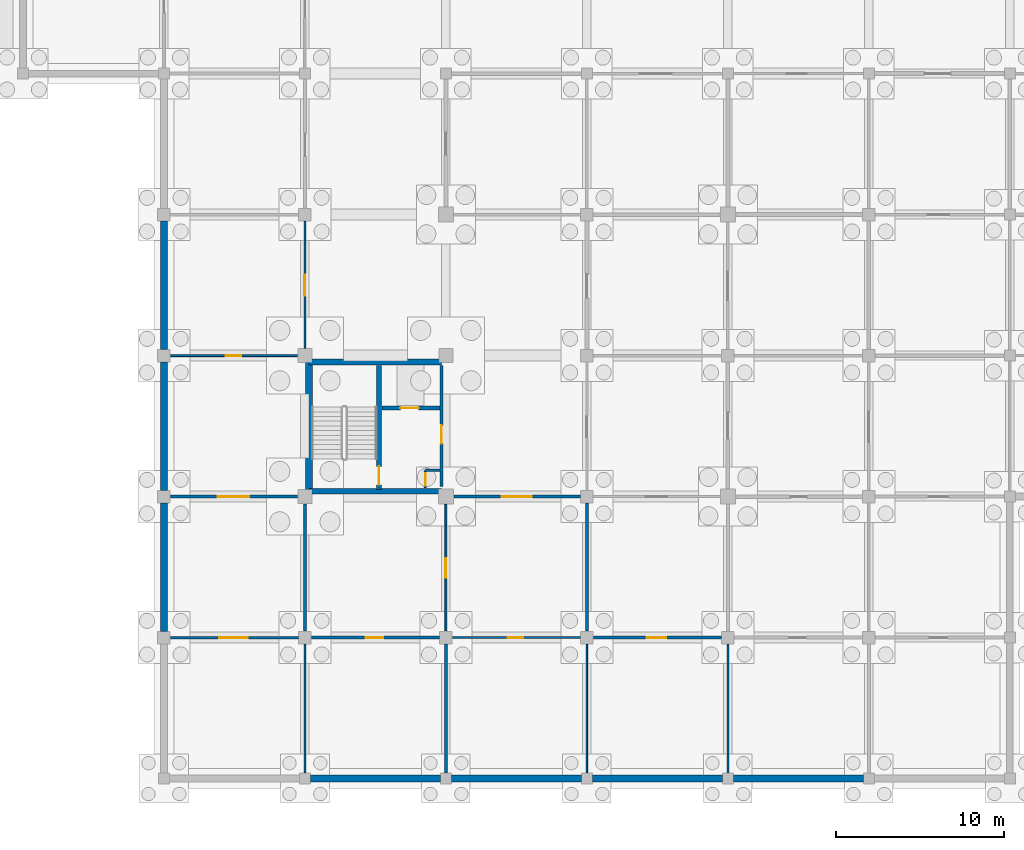
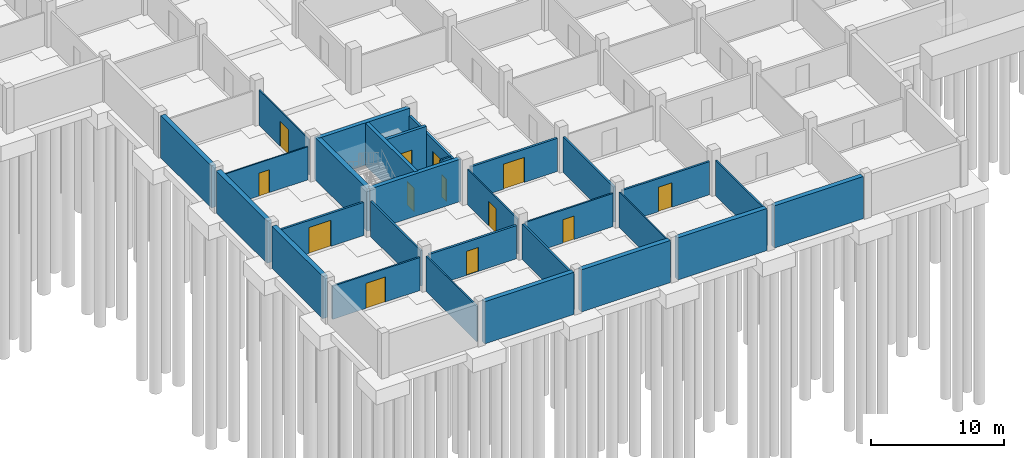
# One storey, part 19 of 43: 30 walls, 13 doors, 13 openings.
"""IFC4 building model written with IfcOpenShell, lengths in metres."""

from ifc_helpers import new_model, si_unit, direction, frame, frame_2d, origin, place, context, subcontext, project, spatial, rectangle, extrude, material, layer, layer_set, type_object, element, fill, save


model = new_model("IFC4")

# Units and contexts
model_context = context("Model", 3, precision=1e-05, world=origin(), true_north=direction((0.0, 1.0)))
body_context = subcontext(model_context, "Body", "Model", "MODEL_VIEW")
ifc_project = project(units=[si_unit("LENGTHUNIT", "METRE"), si_unit("AREAUNIT", "SQUARE_METRE"), si_unit("VOLUMEUNIT", "CUBIC_METRE"), si_unit("PLANEANGLEUNIT", "RADIAN"), si_unit("MASSUNIT", "GRAM", prefix="KILO")], contexts=[model_context])

# Site, building, storey
site_placement = place(None, origin())
site = spatial("IfcSite", under=ifc_project, at=site_placement, CompositionType="ELEMENT")
building_placement = place(site_placement, origin())
building = spatial("IfcBuilding", under=site, at=building_placement, Name="Varnapada Polytechnic", CompositionType="ELEMENT")
storey_placement = place(building_placement, frame((0.0, 0.0, -4.199951171875)))
storey = spatial("IfcBuildingStorey", under=building, at=storey_placement, Name="B1", CompositionType="ELEMENT", Elevation=-4.199951171875)

# Wall, opening, door
ifc_material_1 = material(Name="Autoclaved Aerated Concrete Block AAC-600", Category="concrete")
ifc_layer_1 = layer(ifc_material_1, 0.199951171875)
ifc_layer_set_1 = layer_set([ifc_layer_1], Name="Autoclaved Aerated Concrete Block AAC-600")
wall_type_1 = type_object("IfcWallType", Name="Interior Wall IW-01", PredefinedType="PARTITIONING", material=ifc_layer_set_1)
wall_1_placement = place(storey_placement, frame((24.93994140625, 24.60009765625, 0.0), z_axis=(0.0, 0.0, 1.0), x_axis=(0.0, -1.0, 0.0)))
wall_1 = element("IfcWall", 1, at=wall_1_placement, inside=storey, type_object=wall_type_1, Name="B1 C3 firefighting lobby east wall", PredefinedType="PARTITIONING", context=body_context, shape_type="SweptSolid", body=[
    extrude(rectangle(XDim=7.2001953125, YDim=0.199951171875, at=frame_2d((3.60009765625, 0.0))), origin(), (0.0, 0.0, 1.0), 3.25),
])
opening_1_placement = place(wall_1_placement, frame((3.550048828125, 0.0, 0.0)))
opening_1 = element("IfcOpeningElement", 2, at=opening_1_placement, cuts=wall_1, Name="Opening D-605", PredefinedType="OPENING", context=body_context, shape_type="SweptSolid", body=[
    extrude(rectangle(XDim=1.10009765625, YDim=2.14990234375, at=frame_2d((0.550048828125, 1.074951171875))), frame((0.0, 0.10986328125, 0.0), z_axis=(0.0, -1.0, 0.0), x_axis=(1.0, 0.0, 0.0)), (0.0, 0.0, 1.0), 0.219970703125),
])
ifc_material_2 = material(Name="Galvanized Steel Z275", Category="steel")
door_type_1 = type_object("IfcDoorType", Name="Interior Door ID-01", OperationType="NOTDEFINED", PredefinedType="DOOR", material=ifc_material_2)
door_1_placement = place(opening_1_placement, frame((1.10009765625, 0.0, 0.0), z_axis=(0.0, 0.0, 1.0), x_axis=(-1.0, 0.0, 0.0)))
door_1 = element("IfcDoor", 3, at=door_1_placement, inside=storey, type_object=door_type_1, Name="B1 C3 lobby fire door D-605", OperationType="SINGLE_SWING_LEFT", OverallHeight=2.14990234375, OverallWidth=1.10009765625, PredefinedType="DOOR", context=body_context, shape_type="SweptSolid", body=[
    extrude(rectangle(XDim=1.10009765625, YDim=2.14990234375, at=frame_2d((0.550048828125, 1.074951171875))), frame((0.0, 0.02490234375, 0.0), z_axis=(0.0, -1.0, 0.0), x_axis=(1.0, 0.0, 0.0)), (0.0, 0.0, 1.0), 0.050048828125),
])
fill(opening_1, door_1)

ifc_layer_2 = layer(ifc_material_1, 0.14990234375)
ifc_layer_set_2 = layer_set([ifc_layer_2], Name="Autoclaved Aerated Concrete Block AAC-600")
wall_type_2 = type_object("IfcWallType", Name="Interior Wall IW-02", PredefinedType="PARTITIONING", material=ifc_layer_set_2)
wall_2_placement = place(storey_placement, frame((23.97998046875, 18.360107421875, 0.0), z_axis=(0.0, 0.0, 1.0), x_axis=(0.0, -1.0, 0.0)))
wall_2 = element("IfcWall", 4, at=wall_2_placement, inside=storey, type_object=wall_type_2, Name="B1 C3 riser shaft west wall", PredefinedType="PARTITIONING", context=body_context, shape_type="SweptSolid", body=[
    extrude(rectangle(XDim=1.06005859375, YDim=0.14990234375, at=frame_2d((0.530029296875, 0.0))), origin(), (0.0, 0.0, 1.0), 3.320068359375),
])
opening_2_placement = place(wall_2_placement, frame((0.159912109375, 0.0, 0.0)))
opening_2 = element("IfcOpeningElement", 5, at=opening_2_placement, cuts=wall_2, Name="Opening TD-03", PredefinedType="OPENING", context=body_context, shape_type="SweptSolid", body=[
    extrude(rectangle(XDim=0.75, YDim=2.050048828125, at=frame_2d((0.375, 1.02490234375))), frame((0.0, 0.0849609375, 0.0), z_axis=(0.0, -1.0, 0.0), x_axis=(1.0, 0.0, 0.0)), (0.0, 0.0, 1.0), 0.169921875),
])
door_type_2 = type_object("IfcDoorType", Name="Interior Door TD-01", OperationType="NOTDEFINED", PredefinedType="TRAPDOOR", material=ifc_material_2)
door_2_placement = place(opening_2_placement, origin())
door_2 = element("IfcDoor", 6, at=door_2_placement, inside=storey, type_object=door_type_2, Name="B1 C3 riser access door TD-03", OperationType="SINGLE_SWING_LEFT", OverallHeight=2.050048828125, OverallWidth=0.75, PredefinedType="TRAPDOOR", context=body_context, shape_type="SweptSolid", body=[
    extrude(rectangle(XDim=0.75, YDim=2.050048828125, at=frame_2d((0.375, 1.02490234375))), frame((0.0, 0.02490234375, 0.0), z_axis=(0.0, -1.0, 0.0), x_axis=(1.0, 0.0, 0.0)), (0.0, 0.0, 1.0), 0.050048828125),
])
fill(opening_2, door_2)

# Walls
wall_3_placement = place(storey_placement, frame((23.97998046875, 18.360107421875, 0.0), z_axis=(0.0, 0.0, 1.0), x_axis=(1.0, 0.0, 0.0)))
element("IfcWall", 7, at=wall_3_placement, inside=storey, type_object=wall_type_2, Name="B1 C3 riser shaft north wall", PredefinedType="PARTITIONING", context=body_context, shape_type="SweptSolid", body=[
    extrude(rectangle(XDim=0.860107421875, YDim=0.14990234375, at=frame_2d((0.43017578125, 0.0))), origin(), (0.0, 0.0, 1.0), 3.320068359375),
])
ifc_material_3 = material(Name="Gypsum Plasterboard Acoustic Partition")
ifc_layer_3 = layer(ifc_material_3, 0.125)
ifc_layer_set_3 = layer_set([ifc_layer_3], Name="Gypsum Plasterboard Acoustic Partition")
wall_type_3 = type_object("IfcWallType", Name="Interior Wall IW-03", PredefinedType="PARTITIONING", material=ifc_layer_set_3)
wall_4_placement = place(storey_placement, frame((16.800048828125, 0.344970703125, 0.0), z_axis=(0.0, 0.0, 1.0), x_axis=(0.0, 1.0, 0.0)))
element("IfcWall", 8, at=wall_4_placement, inside=storey, type_object=wall_type_3, Name="B1 interior partition IW-B1-01-00-V", PredefinedType="PARTITIONING", context=body_context, shape_type="SweptSolid", body=[
    extrude(rectangle(XDim=7.659912109375, YDim=0.125, at=frame_2d((3.830078125, 0.0))), origin(), (0.0, 0.0, 1.0), 3.25),
])

# Wall, opening, door
ifc_material_4 = material(Name="Moisture-Resistant Cement Board Partition")
ifc_layer_4 = layer(ifc_material_4, 0.139892578125)
ifc_layer_set_4 = layer_set([ifc_layer_4], Name="Moisture-Resistant Cement Board Partition")
wall_type_4 = type_object("IfcWallType", Name="Interior Wall IW-04", PredefinedType="PARTITIONING", material=ifc_layer_set_4)
wall_5_placement = place(storey_placement, frame((8.794921875, 8.39990234375, 0.0), z_axis=(0.0, 0.0, 1.0), x_axis=(1.0, 0.0, 0.0)))
wall_5 = element("IfcWall", 9, at=wall_5_placement, inside=storey, type_object=wall_type_4, Name="B1 interior partition IW-B1-01-00-H", PredefinedType="PARTITIONING", context=body_context, shape_type="SweptSolid", body=[
    extrude(rectangle(XDim=7.610107421875, YDim=0.139892578125, at=frame_2d((3.80517578125, 0.0))), origin(), (0.0, 0.0, 1.0), 3.050048828125),
])
opening_3_placement = place(wall_5_placement, frame((2.89990234375, 0.0, 0.0)))
opening_3 = element("IfcOpeningElement", 10, at=opening_3_placement, cuts=wall_5, Name="Opening D-623", PredefinedType="OPENING", context=body_context, shape_type="SweptSolid", body=[
    extrude(rectangle(XDim=1.699951171875, YDim=2.300048828125, at=frame_2d((0.85009765625, 1.14990234375))), frame((0.0, 0.079833984375, 0.0), z_axis=(0.0, -1.0, 0.0), x_axis=(1.0, 0.0, 0.0)), (0.0, 0.0, 1.0), 0.159912109375),
])
ifc_material_5 = material(Name="Acoustic Double Timber Leaf", Category="wood")
door_type_3 = type_object("IfcDoorType", Name="Interior Door ID-13", OperationType="NOTDEFINED", PredefinedType="DOOR", material=ifc_material_5)
door_3_placement = place(opening_3_placement, frame((1.699951171875, 0.0, 0.0), z_axis=(0.0, 0.0, 1.0), x_axis=(-1.0, 0.0, 0.0)))
door_3 = element("IfcDoor", 11, at=door_3_placement, inside=storey, type_object=door_type_3, Name="B1 interior room door D-623", OperationType="SINGLE_SWING_RIGHT", OverallHeight=2.300048828125, OverallWidth=1.699951171875, PredefinedType="DOOR", context=body_context, shape_type="SweptSolid", body=[
    extrude(rectangle(XDim=1.699951171875, YDim=2.300048828125, at=frame_2d((0.85009765625, 1.14990234375))), frame((0.0, 0.02490234375, 0.0), z_axis=(0.0, -1.0, 0.0), x_axis=(1.0, 0.0, 0.0)), (0.0, 0.0, 1.0), 0.050048828125),
])
fill(opening_3, door_3)

# Wall
ifc_material_6 = material(Name="Cross-laminated timber CLT C24", Category="wood")
ifc_layer_5 = layer(ifc_material_6, 0.159912109375)
ifc_layer_set_5 = layer_set([ifc_layer_5], Name="Cross-laminated timber CLT C24")
wall_type_5 = type_object("IfcWallType", Name="Interior Wall IW-05", PredefinedType="PARTITIONING", material=ifc_layer_set_5)
wall_6_placement = place(storey_placement, frame((16.800048828125, 8.794921875, 0.0), z_axis=(0.0, 0.0, 1.0), x_axis=(0.0, 1.0, 0.0)))
element("IfcWall", 12, at=wall_6_placement, inside=storey, type_object=wall_type_5, Name="B1 interior partition IW-B1-01-01-V", PredefinedType="PARTITIONING", context=body_context, shape_type="SweptSolid", body=[
    extrude(rectangle(XDim=7.56005859375, YDim=0.159912109375, at=frame_2d((3.780029296875, 0.0))), origin(), (0.0, 0.0, 1.0), 3.25),
])

# Wall, opening, door
ifc_material_7 = material(Name="Acoustic Double-Stud Studio Partition")
ifc_layer_6 = layer(ifc_material_7, 0.179931640625)
ifc_layer_set_6 = layer_set([ifc_layer_6], Name="Acoustic Double-Stud Studio Partition")
wall_type_6 = type_object("IfcWallType", Name="Interior Wall IW-06", PredefinedType="PARTITIONING", material=ifc_layer_set_6)
wall_7_placement = place(storey_placement, frame((8.794921875, 16.800048828125, 0.0), z_axis=(0.0, 0.0, 1.0), x_axis=(1.0, 0.0, 0.0)))
wall_7 = element("IfcWall", 13, at=wall_7_placement, inside=storey, type_object=wall_type_6, Name="B1 interior partition IW-B1-01-01-H", PredefinedType="PARTITIONING", context=body_context, shape_type="SweptSolid", body=[
    extrude(rectangle(XDim=7.56005859375, YDim=0.179931640625, at=frame_2d((3.780029296875, 0.0))), origin(), (0.0, 0.0, 1.0), 3.050048828125),
])
opening_4_placement = place(wall_7_placement, frame((2.800048828125, 0.0, 0.0)))
opening_4 = element("IfcOpeningElement", 14, at=opening_4_placement, cuts=wall_7, Name="Opening D-624", PredefinedType="OPENING", context=body_context, shape_type="SweptSolid", body=[
    extrude(rectangle(XDim=1.89990234375, YDim=2.39990234375, at=frame_2d((0.949951171875, 1.199951171875))), frame((0.0, 0.099853515625, 0.0), z_axis=(0.0, -1.0, 0.0), x_axis=(1.0, 0.0, 0.0)), (0.0, 0.0, 1.0), 0.199951171875),
])
ifc_material_8 = material(Name="Heavy Workshop Double Steel Door", Category="steel")
door_type_4 = type_object("IfcDoorType", Name="Interior Door ID-14", OperationType="NOTDEFINED", PredefinedType="DOOR", material=ifc_material_8)
door_4_placement = place(opening_4_placement, origin())
door_4 = element("IfcDoor", 15, at=door_4_placement, inside=storey, type_object=door_type_4, Name="B1 interior room door D-624", OperationType="SINGLE_SWING_LEFT", OverallHeight=2.39990234375, OverallWidth=1.89990234375, PredefinedType="DOOR", context=body_context, shape_type="SweptSolid", body=[
    extrude(rectangle(XDim=1.89990234375, YDim=2.39990234375, at=frame_2d((0.949951171875, 1.199951171875))), frame((0.0, 0.02490234375, 0.0), z_axis=(0.0, -1.0, 0.0), x_axis=(1.0, 0.0, 0.0)), (0.0, 0.0, 1.0), 0.050048828125),
])
fill(opening_4, door_4)

ifc_material_9 = material(Name="Glazed Timber-Framed Studio Screen", Category="wood")
ifc_layer_7 = layer(ifc_material_9, 0.110107421875)
ifc_layer_set_7 = layer_set([ifc_layer_7], Name="Glazed Timber-Framed Studio Screen")
wall_type_7 = type_object("IfcWallType", Name="Interior Wall IW-07", PredefinedType="PARTITIONING", material=ifc_layer_set_7)
wall_8_placement = place(storey_placement, frame((8.794921875, 25.199951171875, 0.0), z_axis=(0.0, 0.0, 1.0), x_axis=(1.0, 0.0, 0.0)))
wall_8 = element("IfcWall", 16, at=wall_8_placement, inside=storey, type_object=wall_type_7, Name="B1 interior partition IW-B1-01-02-H", PredefinedType="PARTITIONING", context=body_context, shape_type="SweptSolid", body=[
    extrude(rectangle(XDim=7.56005859375, YDim=0.110107421875, at=frame_2d((3.780029296875, 0.0))), origin(), (0.0, 0.0, 1.0), 3.050048828125),
])
opening_5_placement = place(wall_8_placement, frame((3.300048828125, 0.0, 0.0)))
opening_5 = element("IfcOpeningElement", 17, at=opening_5_placement, cuts=wall_8, Name="Opening D-625", PredefinedType="OPENING", context=body_context, shape_type="SweptSolid", body=[
    extrude(rectangle(XDim=0.89990234375, YDim=2.10009765625, at=frame_2d((0.449951171875, 1.050048828125))), frame((0.0, 0.06494140625, 0.0), z_axis=(0.0, -1.0, 0.0), x_axis=(1.0, 0.0, 0.0)), (0.0, 0.0, 1.0), 0.130126953125),
])
ifc_material_10 = material(Name="Moisture-Resistant HPL Timber", Category="wood")
door_type_5 = type_object("IfcDoorType", Name="Interior Door ID-15", OperationType="NOTDEFINED", PredefinedType="DOOR", material=ifc_material_10)
door_5_placement = place(opening_5_placement, origin())
door_5 = element("IfcDoor", 18, at=door_5_placement, inside=storey, type_object=door_type_5, Name="B1 interior room door D-625", OperationType="SINGLE_SWING_RIGHT", OverallHeight=2.10009765625, OverallWidth=0.89990234375, PredefinedType="DOOR", context=body_context, shape_type="SweptSolid", body=[
    extrude(rectangle(XDim=0.89990234375, YDim=2.10009765625, at=frame_2d((0.449951171875, 1.050048828125))), frame((0.0, 0.02490234375, 0.0), z_axis=(0.0, -1.0, 0.0), x_axis=(1.0, 0.0, 0.0)), (0.0, 0.0, 1.0), 0.050048828125),
])
fill(opening_5, door_5)

ifc_material_11 = material(Name="Operable Acoustic Seminar Partition")
ifc_layer_8 = layer(ifc_material_11, 0.10009765625)
ifc_layer_set_8 = layer_set([ifc_layer_8], Name="Operable Acoustic Seminar Partition")
wall_type_8 = type_object("IfcWallType", Name="Interior Wall IW-08", PredefinedType="MOVABLE", material=ifc_layer_set_8)
wall_9_placement = place(storey_placement, frame((16.800048828125, 25.64501953125, 0.0), z_axis=(0.0, 0.0, 1.0), x_axis=(0.0, 1.0, 0.0)))
wall_9 = element("IfcWall", 19, at=wall_9_placement, inside=storey, type_object=wall_type_8, Name="B1 interior partition IW-B1-01-03-V", PredefinedType="MOVABLE", context=body_context, shape_type="SweptSolid", body=[
    extrude(rectangle(XDim=7.56005859375, YDim=0.10009765625, at=frame_2d((3.780029296875, 0.0))), origin(), (0.0, 0.0, 1.0), 3.25),
])
opening_6_placement = place(wall_9_placement, frame((3.125, 0.0, 0.0)))
opening_6 = element("IfcOpeningElement", 20, at=opening_6_placement, cuts=wall_9, Name="Opening D-626", PredefinedType="OPENING", context=body_context, shape_type="SweptSolid", body=[
    extrude(rectangle(XDim=1.25, YDim=2.300048828125, at=frame_2d((0.625, 1.14990234375))), frame((0.0, 0.06005859375, 0.0), z_axis=(0.0, -1.0, 0.0), x_axis=(1.0, 0.0, 0.0)), (0.0, 0.0, 1.0), 0.1201171875),
])
ifc_material_12 = material(Name="Solid Teak Hardwood Timber", Category="wood")
door_type_6 = type_object("IfcDoorType", Name="Interior Door ID-16", OperationType="NOTDEFINED", PredefinedType="DOOR", material=ifc_material_12)
door_6_placement = place(opening_6_placement, frame((1.25, 0.0, 0.0), z_axis=(0.0, 0.0, 1.0), x_axis=(-1.0, 0.0, 0.0)))
door_6 = element("IfcDoor", 21, at=door_6_placement, inside=storey, type_object=door_type_6, Name="B1 interior room door D-626", OperationType="SINGLE_SWING_LEFT", OverallHeight=2.300048828125, OverallWidth=1.25, PredefinedType="DOOR", context=body_context, shape_type="SweptSolid", body=[
    extrude(rectangle(XDim=1.25, YDim=2.300048828125, at=frame_2d((0.625, 1.14990234375))), frame((0.0, 0.02490234375, 0.0), z_axis=(0.0, -1.0, 0.0), x_axis=(1.0, 0.0, 0.0)), (0.0, 0.0, 1.0), 0.050048828125),
])
fill(opening_6, door_6)

# Wall
wall_10_placement = place(storey_placement, frame((33.60009765625, 0.344970703125, 0.0), z_axis=(0.0, 0.0, 1.0), x_axis=(0.0, 1.0, 0.0)))
element("IfcWall", 22, at=wall_10_placement, inside=storey, type_object=wall_type_8, Name="B1 interior partition IW-B1-03-00-V", PredefinedType="MOVABLE", context=body_context, shape_type="SweptSolid", body=[
    extrude(rectangle(XDim=7.659912109375, YDim=0.10009765625, at=frame_2d((3.830078125, 0.0))), origin(), (0.0, 0.0, 1.0), 3.25),
])

# Wall, opening, door
ifc_material_13 = material(Name="Calcium Silicate Acoustic Lab Partition")
ifc_layer_9 = layer(ifc_material_13, 0.135009765625)
ifc_layer_set_9 = layer_set([ifc_layer_9], Name="Calcium Silicate Acoustic Lab Partition")
wall_type_9 = type_object("IfcWallType", Name="Interior Wall IW-09", PredefinedType="PARTITIONING", material=ifc_layer_set_9)
wall_11_placement = place(storey_placement, frame((25.594970703125, 8.39990234375, 0.0), z_axis=(0.0, 0.0, 1.0), x_axis=(1.0, 0.0, 0.0)))
wall_11 = element("IfcWall", 23, at=wall_11_placement, inside=storey, type_object=wall_type_9, Name="B1 interior partition IW-B1-03-00-H", PredefinedType="PARTITIONING", context=body_context, shape_type="SweptSolid", body=[
    extrude(rectangle(XDim=7.610107421875, YDim=0.135009765625, at=frame_2d((3.80517578125, 0.0))), origin(), (0.0, 0.0, 1.0), 3.050048828125),
])
opening_7_placement = place(wall_11_placement, frame((3.27490234375, 0.0, 0.0)))
opening_7 = element("IfcOpeningElement", 24, at=opening_7_placement, cuts=wall_11, Name="Opening D-647", PredefinedType="OPENING", context=body_context, shape_type="SweptSolid", body=[
    extrude(rectangle(XDim=0.949951171875, YDim=2.14990234375, at=frame_2d((0.47509765625, 1.074951171875))), frame((0.0, 0.077392578125, 0.0), z_axis=(0.0, -1.0, 0.0), x_axis=(1.0, 0.0, 0.0)), (0.0, 0.0, 1.0), 0.155029296875),
])
door_type_7 = type_object("IfcDoorType", Name="Interior Door ID-03", OperationType="NOTDEFINED", PredefinedType="DOOR", material=ifc_material_10)
door_7_placement = place(opening_7_placement, frame((0.949951171875, 0.0, 0.0), z_axis=(0.0, 0.0, 1.0), x_axis=(-1.0, 0.0, 0.0)))
door_7 = element("IfcDoor", 25, at=door_7_placement, inside=storey, type_object=door_type_7, Name="B1 interior room door D-647", OperationType="SINGLE_SWING_RIGHT", OverallHeight=2.14990234375, OverallWidth=0.949951171875, PredefinedType="DOOR", context=body_context, shape_type="SweptSolid", body=[
    extrude(rectangle(XDim=0.949951171875, YDim=2.14990234375, at=frame_2d((0.47509765625, 1.074951171875))), frame((0.0, 0.02490234375, 0.0), z_axis=(0.0, -1.0, 0.0), x_axis=(1.0, 0.0, 0.0)), (0.0, 0.0, 1.0), 0.050048828125),
])
fill(opening_7, door_7)

# Walls
wall_12_placement = place(storey_placement, frame((42.0, 0.344970703125, 0.0), z_axis=(0.0, 0.0, 1.0), x_axis=(0.0, 1.0, 0.0)))
element("IfcWall", 26, at=wall_12_placement, inside=storey, type_object=wall_type_9, Name="B1 interior partition IW-B1-04-00-V", PredefinedType="PARTITIONING", context=body_context, shape_type="SweptSolid", body=[
    extrude(rectangle(XDim=7.659912109375, YDim=0.135009765625, at=frame_2d((3.830078125, 0.0))), origin(), (0.0, 0.0, 1.0), 3.25),
])
ifc_material_14 = material(Name="Double-Layer Fireboard Workshop Wall")
ifc_layer_10 = layer(ifc_material_14, 0.169921875)
ifc_layer_set_10 = layer_set([ifc_layer_10], Name="Double-Layer Fireboard Workshop Wall")
wall_type_10 = type_object("IfcWallType", Name="Interior Wall IW-10", PredefinedType="PARTITIONING", material=ifc_layer_set_10)
wall_13_placement = place(storey_placement, frame((25.199951171875, 0.344970703125, 0.0), z_axis=(0.0, 0.0, 1.0), x_axis=(0.0, 1.0, 0.0)))
element("IfcWall", 27, at=wall_13_placement, inside=storey, type_object=wall_type_10, Name="B1 interior partition IW-B1-02-00-V", PredefinedType="PARTITIONING", context=body_context, shape_type="SweptSolid", body=[
    extrude(rectangle(XDim=7.659912109375, YDim=0.169921875, at=frame_2d((3.830078125, 0.0))), origin(), (0.0, 0.0, 1.0), 3.25),
])
wall_14_placement = place(storey_placement, frame((33.60009765625, 8.794921875, 0.0), z_axis=(0.0, 0.0, 1.0), x_axis=(0.0, 1.0, 0.0)))
element("IfcWall", 28, at=wall_14_placement, inside=storey, type_object=wall_type_10, Name="B1 interior partition IW-B1-03-01-V", PredefinedType="PARTITIONING", context=body_context, shape_type="SweptSolid", body=[
    extrude(rectangle(XDim=7.610107421875, YDim=0.169921875, at=frame_2d((3.80517578125, 0.0))), origin(), (0.0, 0.0, 1.0), 3.25),
])

# Wall, opening, door
wall_15_placement = place(storey_placement, frame((33.9951171875, 8.39990234375, 0.0), z_axis=(0.0, 0.0, 1.0), x_axis=(1.0, 0.0, 0.0)))
wall_15 = element("IfcWall", 29, at=wall_15_placement, inside=storey, type_object=wall_type_10, Name="B1 interior partition IW-B1-04-00-H", PredefinedType="PARTITIONING", context=body_context, shape_type="SweptSolid", body=[
    extrude(rectangle(XDim=7.60986328125, YDim=0.169921875, at=frame_2d((3.804931640625, 0.0))), origin(), (0.0, 0.0, 1.0), 3.050048828125),
])
opening_8_placement = place(wall_15_placement, frame((3.175048828125, 0.0, 0.0)))
opening_8 = element("IfcOpeningElement", 30, at=opening_8_placement, cuts=wall_15, Name="Opening D-654", PredefinedType="OPENING", context=body_context, shape_type="SweptSolid", body=[
    extrude(rectangle(XDim=1.14990234375, YDim=2.25, at=frame_2d((0.574951171875, 1.125))), frame((0.0, 0.094970703125, 0.0), z_axis=(0.0, -1.0, 0.0), x_axis=(1.0, 0.0, 0.0)), (0.0, 0.0, 1.0), 0.18994140625),
])
ifc_material_15 = material(Name="Powder-Coated Aluminium 6063-T6", Category="aluminium")
door_type_8 = type_object("IfcDoorType", Name="Interior Door ID-10", OperationType="NOTDEFINED", PredefinedType="DOOR", material=ifc_material_15)
door_8_placement = place(opening_8_placement, origin())
door_8 = element("IfcDoor", 31, at=door_8_placement, inside=storey, type_object=door_type_8, Name="B1 interior room door D-654", OperationType="SINGLE_SWING_LEFT", OverallHeight=2.25, OverallWidth=1.14990234375, PredefinedType="DOOR", context=body_context, shape_type="SweptSolid", body=[
    extrude(rectangle(XDim=1.14990234375, YDim=2.25, at=frame_2d((0.574951171875, 1.125))), frame((0.0, 0.02490234375, 0.0), z_axis=(0.0, -1.0, 0.0), x_axis=(1.0, 0.0, 0.0)), (0.0, 0.0, 1.0), 0.050048828125),
])
fill(opening_8, door_8)

ifc_material_16 = material(Name="Insulated Masonry Plant Room Wall", Category="masonry")
ifc_layer_11 = layer(ifc_material_16, 0.18994140625)
ifc_layer_set_11 = layer_set([ifc_layer_11], Name="Insulated Masonry Plant Room Wall")
wall_type_11 = type_object("IfcWallType", Name="Interior Wall IW-11", PredefinedType="PARTITIONING", material=ifc_layer_set_11)
wall_16_placement = place(storey_placement, frame((17.195068359375, 8.39990234375, 0.0), z_axis=(0.0, 0.0, 1.0), x_axis=(1.0, 0.0, 0.0)))
wall_16 = element("IfcWall", 32, at=wall_16_placement, inside=storey, type_object=wall_type_11, Name="B1 interior partition IW-B1-02-00-H", PredefinedType="PARTITIONING", context=body_context, shape_type="SweptSolid", body=[
    extrude(rectangle(XDim=7.60986328125, YDim=0.18994140625, at=frame_2d((3.804931640625, 0.0))), origin(), (0.0, 0.0, 1.0), 3.050048828125),
])
opening_9_placement = place(wall_16_placement, frame((3.22509765625, 0.0, 0.0)))
opening_9 = element("IfcOpeningElement", 33, at=opening_9_placement, cuts=wall_16, Name="Opening D-636", PredefinedType="OPENING", context=body_context, shape_type="SweptSolid", body=[
    extrude(rectangle(XDim=1.050048828125, YDim=2.199951171875, at=frame_2d((0.52490234375, 1.10009765625))), frame((0.0, 0.10498046875, 0.0), z_axis=(0.0, -1.0, 0.0), x_axis=(1.0, 0.0, 0.0)), (0.0, 0.0, 1.0), 0.2099609375),
])
door_type_9 = type_object("IfcDoorType", Name="Interior Door ID-09", OperationType="NOTDEFINED", PredefinedType="DOOR", material=ifc_material_12)
door_9_placement = place(opening_9_placement, origin())
door_9 = element("IfcDoor", 34, at=door_9_placement, inside=storey, type_object=door_type_9, Name="B1 interior room door D-636", OperationType="SINGLE_SWING_LEFT", OverallHeight=2.199951171875, OverallWidth=1.050048828125, PredefinedType="DOOR", context=body_context, shape_type="SweptSolid", body=[
    extrude(rectangle(XDim=1.050048828125, YDim=2.199951171875, at=frame_2d((0.52490234375, 1.10009765625))), frame((0.0, 0.02490234375, 0.0), z_axis=(0.0, -1.0, 0.0), x_axis=(1.0, 0.0, 0.0)), (0.0, 0.0, 1.0), 0.050048828125),
])
fill(opening_9, door_9)

wall_17_placement = place(storey_placement, frame((25.669921875, 16.800048828125, 0.0), z_axis=(0.0, 0.0, 1.0), x_axis=(1.0, 0.0, 0.0)))
wall_17 = element("IfcWall", 35, at=wall_17_placement, inside=storey, type_object=wall_type_11, Name="B1 interior partition IW-B1-03-01-H", PredefinedType="PARTITIONING", context=body_context, shape_type="SweptSolid", body=[
    extrude(rectangle(XDim=7.53515625, YDim=0.18994140625, at=frame_2d((3.767578125, 0.0))), origin(), (0.0, 0.0, 1.0), 3.050048828125),
])
opening_10_placement = place(wall_17_placement, frame((2.85009765625, 0.0, 0.0)))
opening_10 = element("IfcOpeningElement", 36, at=opening_10_placement, cuts=wall_17, Name="Opening D-648", PredefinedType="OPENING", context=body_context, shape_type="SweptSolid", body=[
    extrude(rectangle(XDim=1.800048828125, YDim=2.300048828125, at=frame_2d((0.89990234375, 1.14990234375))), frame((0.0, 0.10498046875, 0.0), z_axis=(0.0, -1.0, 0.0), x_axis=(1.0, 0.0, 0.0)), (0.0, 0.0, 1.0), 0.2099609375),
])
door_type_10 = type_object("IfcDoorType", Name="Interior Door ID-04", OperationType="NOTDEFINED", PredefinedType="DOOR", material=ifc_material_5)
door_10_placement = place(opening_10_placement, origin())
door_10 = element("IfcDoor", 37, at=door_10_placement, inside=storey, type_object=door_type_10, Name="B1 interior room door D-648", OperationType="SINGLE_SWING_LEFT", OverallHeight=2.300048828125, OverallWidth=1.800048828125, PredefinedType="DOOR", context=body_context, shape_type="SweptSolid", body=[
    extrude(rectangle(XDim=1.800048828125, YDim=2.300048828125, at=frame_2d((0.89990234375, 1.14990234375))), frame((0.0, 0.02490234375, 0.0), z_axis=(0.0, -1.0, 0.0), x_axis=(1.0, 0.0, 0.0)), (0.0, 0.0, 1.0), 0.050048828125),
])
fill(opening_10, door_10)

ifc_material_17 = material(Name="Timber-Stud Studio Critique Partition", Category="wood")
ifc_layer_12 = layer(ifc_material_17, 0.114990234375)
ifc_layer_set_12 = layer_set([ifc_layer_12], Name="Timber-Stud Studio Critique Partition")
wall_type_12 = type_object("IfcWallType", Name="Interior Wall IW-12", PredefinedType="PARTITIONING", material=ifc_layer_set_12)
wall_18_placement = place(storey_placement, frame((25.199951171875, 8.794921875, 0.0), z_axis=(0.0, 0.0, 1.0), x_axis=(0.0, 1.0, 0.0)))
wall_18 = element("IfcWall", 38, at=wall_18_placement, inside=storey, type_object=wall_type_12, Name="B1 interior partition IW-B1-02-01-V", PredefinedType="PARTITIONING", context=body_context, shape_type="SweptSolid", body=[
    extrude(rectangle(XDim=7.53515625, YDim=0.114990234375, at=frame_2d((3.767578125, 0.0))), origin(), (0.0, 0.0, 1.0), 3.25),
])
opening_11_placement = place(wall_18_placement, frame((3.175048828125, 0.0, 0.0)))
opening_11 = element("IfcOpeningElement", 39, at=opening_11_placement, cuts=wall_18, Name="Opening D-637", PredefinedType="OPENING", context=body_context, shape_type="SweptSolid", body=[
    extrude(rectangle(XDim=1.14990234375, YDim=2.25, at=frame_2d((0.574951171875, 1.125))), frame((0.0, 0.0673828125, 0.0), z_axis=(0.0, -1.0, 0.0), x_axis=(1.0, 0.0, 0.0)), (0.0, 0.0, 1.0), 0.135009765625),
])
door_11_placement = place(opening_11_placement, origin())
door_11 = element("IfcDoor", 40, at=door_11_placement, inside=storey, type_object=door_type_8, Name="B1 interior room door D-637", OperationType="SINGLE_SWING_RIGHT", OverallHeight=2.25, OverallWidth=1.14990234375, PredefinedType="DOOR", context=body_context, shape_type="SweptSolid", body=[
    extrude(rectangle(XDim=1.14990234375, YDim=2.25, at=frame_2d((0.574951171875, 1.125))), frame((0.0, 0.02490234375, 0.0), z_axis=(0.0, -1.0, 0.0), x_axis=(1.0, 0.0, 0.0)), (0.0, 0.0, 1.0), 0.050048828125),
])
fill(opening_11, door_11)

# Walls
ifc_material_18 = material(Name="Concrete C40/50", Category="concrete")
ifc_layer_13 = layer(ifc_material_18, 0.35009765625)
ifc_layer_set_13 = layer_set([ifc_layer_13], Name="Concrete C40/50")
wall_type_13 = type_object("IfcWallType", Name="Interior Wall SW-01", PredefinedType="SHEAR", material=ifc_layer_set_13)
for number, where, z_axis, x_axis, name in (
    (41, (17.0400390625, 24.820068359375, 0.0), (0.0, 0.0, 1.0), (1.0, 0.0, 0.0), "B1 C3 core north shear wall"),
    (42, (24.93994140625, 17.1201171875, 0.0), (0.0, 0.0, 1.0), (-1.0, 0.0, 0.0), "B1 C3 core south shear wall"),
):
    element("IfcWall", number, at=place(storey_placement, frame(where, z_axis=z_axis, x_axis=x_axis)), inside=storey, type_object=wall_type_13, Name=name, PredefinedType="SHEAR", context=body_context, shape_type="SweptSolid", body=[
        extrude(rectangle(XDim=7.89990234375, YDim=0.35009765625, at=frame_2d((3.949951171875, 0.0))), origin(), (0.0, 0.0, 1.0), 3.89990234375),
    ])

# Wall, opening, door
ifc_layer_14 = layer(ifc_material_18, 0.300048828125)
ifc_layer_set_14 = layer_set([ifc_layer_14], Name="Concrete C40/50")
wall_type_14 = type_object("IfcWallType", Name="Interior Wall SW-02", PredefinedType="SHEAR", material=ifc_layer_set_14)
wall_19_placement = place(storey_placement, frame((21.2099609375, 17.219970703125, 0.0), z_axis=(0.0, 0.0, 1.0), x_axis=(0.0, 1.0, 0.0)))
wall_19 = element("IfcWall", 43, at=wall_19_placement, inside=storey, type_object=wall_type_14, Name="B1 C3 stair-lobby dividing shear wall", PredefinedType="SHEAR", context=body_context, shape_type="SweptSolid", body=[
    extrude(rectangle(XDim=7.380126953125, YDim=0.300048828125, at=frame_2d((3.68994140625, 0.0))), origin(), (0.0, 0.0, 1.0), 3.89990234375),
])
opening_12_placement = place(wall_19_placement, frame((0.280029296875, 0.0, 0.0)))
opening_12 = element("IfcOpeningElement", 44, at=opening_12_placement, cuts=wall_19, Name="Opening D-606", PredefinedType="OPENING", context=body_context, shape_type="SweptSolid", body=[
    extrude(rectangle(XDim=1.10009765625, YDim=2.14990234375, at=frame_2d((0.550048828125, 1.074951171875))), frame((0.0, 0.159912109375, 0.0), z_axis=(0.0, -1.0, 0.0), x_axis=(1.0, 0.0, 0.0)), (0.0, 0.0, 1.0), 0.320068359375),
])
door_12_placement = place(opening_12_placement, origin())
door_12 = element("IfcDoor", 45, at=door_12_placement, inside=storey, type_object=door_type_1, Name="B1 C3 exit stair door D-606", OperationType="SINGLE_SWING_LEFT", OverallHeight=2.14990234375, OverallWidth=1.10009765625, PredefinedType="DOOR", context=body_context, shape_type="SweptSolid", body=[
    extrude(rectangle(XDim=1.10009765625, YDim=2.14990234375, at=frame_2d((0.550048828125, 1.074951171875))), frame((0.0, 0.02490234375, 0.0), z_axis=(0.0, -1.0, 0.0), x_axis=(1.0, 0.0, 0.0)), (0.0, 0.0, 1.0), 0.050048828125),
])
fill(opening_12, door_12)

# Wall
ifc_layer_15 = layer(ifc_material_18, 0.39990234375)
ifc_layer_set_15 = layer_set([ifc_layer_15], Name="Concrete C40/50")
wall_type_15 = type_object("IfcWallType", Name="Interior Wall SW-03", PredefinedType="SHEAR", material=ifc_layer_set_15)
wall_20_placement = place(storey_placement, frame((17.0400390625, 17.050048828125, 0.0), z_axis=(0.0, 0.0, 1.0), x_axis=(0.0, 1.0, 0.0)))
element("IfcWall", 46, at=wall_20_placement, inside=storey, type_object=wall_type_15, Name="B1 C3 stair west shear wall", PredefinedType="SHEAR", context=body_context, shape_type="SweptSolid", body=[
    extrude(rectangle(XDim=7.93994140625, YDim=0.39990234375, at=frame_2d((3.969970703125, 0.0))), origin(), (0.0, 0.0, 1.0), 3.89990234375),
])

# Wall, opening, door
ifc_layer_16 = layer(ifc_material_18, 0.25)
ifc_layer_set_16 = layer_set([ifc_layer_16], Name="Concrete C40/50")
wall_type_16 = type_object("IfcWallType", Name="Interior Wall SW-05", PredefinedType="SHEAR", material=ifc_layer_set_16)
wall_21_placement = place(storey_placement, frame((21.3798828125, 22.080078125, 0.0), z_axis=(0.0, 0.0, 1.0), x_axis=(1.0, 0.0, 0.0)))
wall_21 = element("IfcWall", 47, at=wall_21_placement, inside=storey, type_object=wall_type_16, Name="B1 C3 lift shaft front wall", PredefinedType="SHEAR", context=body_context, shape_type="SweptSolid", body=[
    extrude(rectangle(XDim=3.460205078125, YDim=0.25, at=frame_2d((1.72998046875, 0.0))), origin(), (0.0, 0.0, 1.0), 3.89990234375),
])
opening_13_placement = place(wall_21_placement, frame((1.10009765625, 0.0, 0.0)))
opening_13 = element("IfcOpeningElement", 48, at=opening_13_placement, cuts=wall_21, Name="Opening LD-003", PredefinedType="OPENING", context=body_context, shape_type="SweptSolid", body=[
    extrude(rectangle(XDim=1.10009765625, YDim=2.14990234375, at=frame_2d((0.550048828125, 1.074951171875))), frame((0.0, 0.135009765625, 0.0), z_axis=(0.0, -1.0, 0.0), x_axis=(1.0, 0.0, 0.0)), (0.0, 0.0, 1.0), 0.27001953125),
])
ifc_material_19 = material(Name="Brushed Stainless Steel 316", Category="steel")
door_type_11 = type_object("IfcDoorType", Name="Interior Door LD-01", OperationType="NOTDEFINED", PredefinedType="DOOR", material=ifc_material_19)
door_13_placement = place(opening_13_placement, origin())
door_13 = element("IfcDoor", 49, at=door_13_placement, inside=storey, type_object=door_type_11, Name="B1 LFT-03 sliding lift landing door LD-003", OperationType="DOUBLE_DOOR_SLIDING", OverallHeight=2.14990234375, OverallWidth=1.10009765625, PredefinedType="DOOR", context=body_context, shape_type="SweptSolid", body=[
    extrude(rectangle(XDim=1.10009765625, YDim=2.14990234375, at=frame_2d((0.550048828125, 1.074951171875))), frame((0.0, 0.02490234375, 0.0), z_axis=(0.0, -1.0, 0.0), x_axis=(1.0, 0.0, 0.0)), (0.0, 0.0, 1.0), 0.050048828125),
])
fill(opening_13, door_13)

# Walls
ifc_layer_17 = layer(ifc_material_18, 0.39990234375)
ifc_layer_set_17 = layer_set([ifc_layer_17], Name="Concrete C40/50")
wall_type_17 = type_object("IfcWallType", Name="Wall RW-01", PredefinedType="STANDARD", material=ifc_layer_set_17)
wall_22_placement = place(storey_placement, frame((8.39990234375, 8.77490234375, 0.0), z_axis=(0.0, 0.0, 1.0), x_axis=(0.0, 1.0, 0.0)))
element("IfcWall", 50, at=wall_22_placement, inside=storey, type_object=wall_type_17, Name="B1 perimeter retaining wall 15", PredefinedType="STANDARD", context=body_context, shape_type="SweptSolid", body=[
    extrude(rectangle(XDim=7.650146484375, YDim=0.39990234375, at=frame_2d((3.8251953125, 0.0))), origin(), (0.0, 0.0, 1.0), 3.8798828125),
])
wall_23_placement = place(storey_placement, frame((8.39990234375, 17.175048828125, 0.0), z_axis=(0.0, 0.0, 1.0), x_axis=(0.0, 1.0, 0.0)))
element("IfcWall", 51, at=wall_23_placement, inside=storey, type_object=wall_type_17, Name="B1 perimeter retaining wall 16", PredefinedType="STANDARD", context=body_context, shape_type="SweptSolid", body=[
    extrude(rectangle(XDim=7.64990234375, YDim=0.39990234375, at=frame_2d((3.824951171875, 0.0))), origin(), (0.0, 0.0, 1.0), 3.8798828125),
])
wall_24_placement = place(storey_placement, frame((8.39990234375, 25.574951171875, 0.0), z_axis=(0.0, 0.0, 1.0), x_axis=(0.0, 1.0, 0.0)))
element("IfcWall", 52, at=wall_24_placement, inside=storey, type_object=wall_type_17, Name="B1 perimeter retaining wall 17", PredefinedType="STANDARD", context=body_context, shape_type="SweptSolid", body=[
    extrude(rectangle(XDim=7.650146484375, YDim=0.39990234375, at=frame_2d((3.8251953125, 0.0))), origin(), (0.0, 0.0, 1.0), 3.8798828125),
])
for number, where, z_axis, x_axis, name in (
    (53, (24.875, 0.0, 0.0), (0.0, 0.0, 1.0), (-1.0, 0.0, 0.0), "B1 perimeter retaining wall 20"),
    (54, (33.27490234375, 0.0, 0.0), (0.0, 0.0, 1.0), (-1.0, 0.0, 0.0), "B1 perimeter retaining wall 22"),
    (55, (41.675048828125, 0.0, 0.0), (0.0, 0.0, 1.0), (-1.0, 0.0, 0.0), "B1 perimeter retaining wall 24"),
    (56, (50.074951171875, 0.0, 0.0), (0.0, 0.0, 1.0), (-1.0, 0.0, 0.0), "B1 perimeter retaining wall 27"),
):
    element("IfcWall", number, at=place(storey_placement, frame(where, z_axis=z_axis, x_axis=x_axis)), inside=storey, type_object=wall_type_17, Name=name, PredefinedType="STANDARD", context=body_context, shape_type="SweptSolid", body=[
        extrude(rectangle(XDim=7.75, YDim=0.39990234375, at=frame_2d((3.875, 0.0))), origin(), (0.0, 0.0, 1.0), 3.8798828125),
    ])

save(model, "model.ifc")
